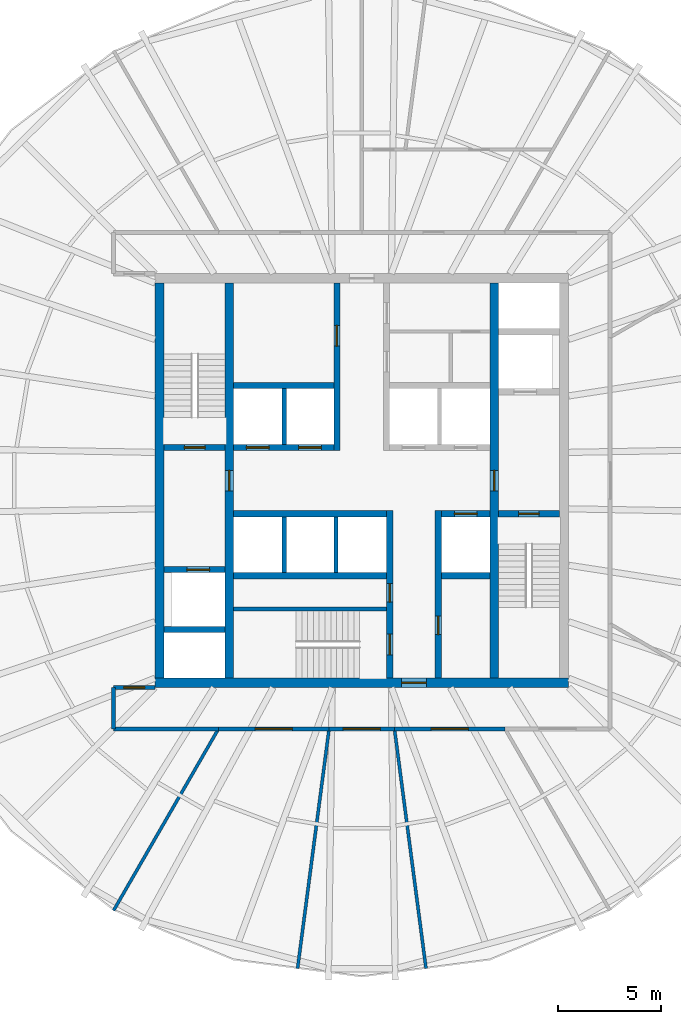
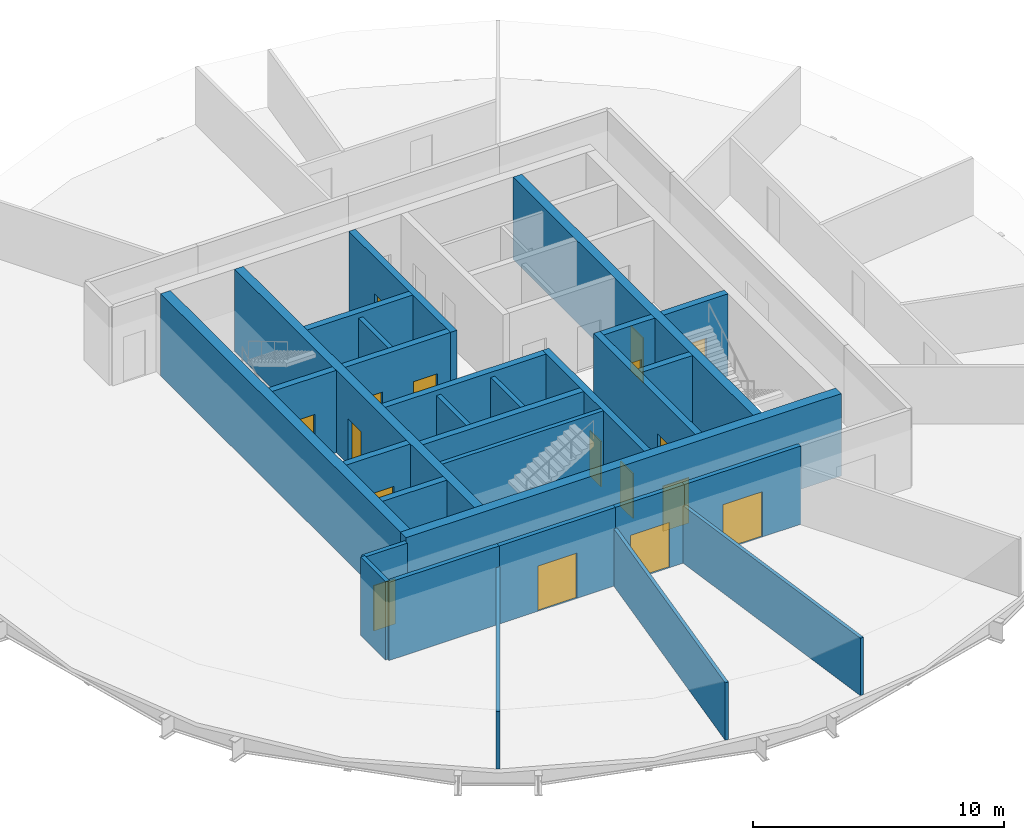
# One storey, part 3 of 6: 30 walls, 17 doors, 17 openings.
"""IFC4 building model written with IfcOpenShell, lengths in metres."""

from ifc_helpers import new_model, si_unit, direction, frame, frame_2d, origin, place, context, subcontext, project, spatial, rectangle, extrude, material, layer, layer_set, type_object, element, fill, save


model = new_model("IFC4")

# Units and contexts
model_context = context("Model", 3, precision=1e-05, world=origin(), true_north=direction((0.0, 1.0)))
body_context = subcontext(model_context, "Body", "Model", "MODEL_VIEW")
ifc_project = project(units=[si_unit("LENGTHUNIT", "METRE"), si_unit("AREAUNIT", "SQUARE_METRE"), si_unit("VOLUMEUNIT", "CUBIC_METRE"), si_unit("PLANEANGLEUNIT", "RADIAN"), si_unit("MASSUNIT", "GRAM", prefix="KILO")], contexts=[model_context])

# Site, building, storey
site_placement = place(None, origin())
site = spatial("IfcSite", under=ifc_project, at=site_placement, CompositionType="ELEMENT")
building_placement = place(site_placement, origin())
building = spatial("IfcBuilding", under=site, at=building_placement, Name="Golbaran Civic Tower", CompositionType="ELEMENT")
storey_placement = place(building_placement, frame((0.0, 0.0, 179.0)))
storey = spatial("IfcBuildingStorey", under=building, at=storey_placement, Name="L43", CompositionType="ELEMENT", Elevation=179.0)

# Wall, opening, door
ifc_material_1 = material(Name="Concrete C50/60", Category="concrete")
ifc_layer_1 = layer(ifc_material_1, 0.39990234375, Name="Concrete C50/60")
ifc_layer_set_1 = layer_set([ifc_layer_1], Name="Concrete C50/60")
wall_type_1 = type_object("IfcWallType", Name="CORE WALL CONCRETE 400", PredefinedType="SOLIDWALL", material=ifc_layer_set_1)
wall_1_placement = place(storey_placement, frame((-6.39990234375, -9.550048828125, 0.0), z_axis=(0.0, 0.0, 1.0), x_axis=(0.0, 1.0, 0.0)))
wall_1 = element("IfcWall", 1, at=wall_1_placement, inside=storey, type_object=wall_type_1, Name="Core wall IW L43", PredefinedType="SOLIDWALL", context=body_context, shape_type="SweptSolid", body=[
    extrude(rectangle(XDim=19.10009765625, YDim=0.39990234375, at=frame_2d((9.550048828125, 0.0))), origin(), (0.0, 0.0, 1.0), 4.0),
])
opening_1_placement = place(wall_1_placement, frame((9.050048828125, 0.0, 0.0)))
opening_1 = element("IfcOpeningElement", 2, at=opening_1_placement, cuts=wall_1, Name="Opening L43.FL1", PredefinedType="OPENING", context=body_context, shape_type="SweptSolid", body=[
    extrude(rectangle(XDim=1.0, YDim=2.199951171875, at=frame_2d((0.5, 1.10009765625))), frame((0.0, 0.2099609375, 0.0), z_axis=(0.0, -1.0, 0.0), x_axis=(1.0, 0.0, 0.0)), (0.0, 0.0, 1.0), 0.419921875),
])
ifc_material_2 = material(Name="Timber door set in steel frame", Category="steel")
door_type_1 = type_object("IfcDoorType", Name="STAIR DOOR 1000x2200", OperationType="SINGLE_SWING_LEFT", PredefinedType="DOOR", material=ifc_material_2)
door_1_placement = place(opening_1_placement, origin())
door_1 = element("IfcDoor", 3, at=door_1_placement, inside=storey, type_object=door_type_1, Name="Fire-fighting lobby FL1 door", OperationType="SINGLE_SWING_LEFT", OverallHeight=2.199951171875, OverallWidth=1.0, PredefinedType="DOOR", context=body_context, shape_type="SweptSolid", body=[
    extrude(rectangle(XDim=1.0, YDim=2.199951171875, at=frame_2d((0.5, 1.10009765625))), frame((0.0, 0.02490234375, 0.0), z_axis=(0.0, -1.0, 0.0), x_axis=(1.0, 0.0, 0.0)), (0.0, 0.0, 1.0), 0.050048828125),
])
fill(opening_1, door_1)

wall_2_placement = place(storey_placement, frame((6.39990234375, 9.550048828125, 0.0), z_axis=(0.0, 0.0, 1.0), x_axis=(0.0, -1.0, 0.0)))
wall_2 = element("IfcWall", 4, at=wall_2_placement, inside=storey, type_object=wall_type_1, Name="Core wall IE L43", PredefinedType="SOLIDWALL", context=body_context, shape_type="SweptSolid", body=[
    extrude(rectangle(XDim=19.10009765625, YDim=0.39990234375, at=frame_2d((9.550048828125, 0.0))), origin(), (0.0, 0.0, 1.0), 4.0),
])
opening_2_placement = place(wall_2_placement, frame((9.050048828125, 0.0, 0.0)))
opening_2 = element("IfcOpeningElement", 5, at=opening_2_placement, cuts=wall_2, Name="Opening L43.FL2", PredefinedType="OPENING", context=body_context, shape_type="SweptSolid", body=[
    extrude(rectangle(XDim=1.0, YDim=2.199951171875, at=frame_2d((0.5, 1.10009765625))), frame((0.0, 0.2099609375, 0.0), z_axis=(0.0, -1.0, 0.0), x_axis=(1.0, 0.0, 0.0)), (0.0, 0.0, 1.0), 0.419921875),
])
door_2_placement = place(opening_2_placement, origin())
door_2 = element("IfcDoor", 6, at=door_2_placement, inside=storey, type_object=door_type_1, Name="Fire-fighting lobby FL2 door", OperationType="SINGLE_SWING_RIGHT", OverallHeight=2.199951171875, OverallWidth=1.0, PredefinedType="DOOR", context=body_context, shape_type="SweptSolid", body=[
    extrude(rectangle(XDim=1.0, YDim=2.199951171875, at=frame_2d((0.5, 1.10009765625))), frame((0.0, 0.02490234375, 0.0), z_axis=(0.0, -1.0, 0.0), x_axis=(1.0, 0.0, 0.0)), (0.0, 0.0, 1.0), 0.050048828125),
])
fill(opening_2, door_2)

ifc_layer_2 = layer(ifc_material_1, 0.449951171875, Name="Concrete C50/60")
ifc_layer_set_2 = layer_set([ifc_layer_2], Name="Concrete C50/60")
wall_type_2 = type_object("IfcWallType", Name="CORE WALL CONCRETE 450", PredefinedType="SOLIDWALL", material=ifc_layer_set_2)
wall_3_placement = place(storey_placement, frame((10.0, -9.77490234375, 0.0), z_axis=(0.0, 0.0, 1.0), x_axis=(-1.0, 0.0, 0.0)))
wall_3 = element("IfcWall", 7, at=wall_3_placement, inside=storey, type_object=wall_type_2, Name="Core wall CS L43", PredefinedType="SOLIDWALL", context=body_context, shape_type="SweptSolid", body=[
    extrude(rectangle(XDim=20.0, YDim=0.449951171875, at=frame_2d((10.0, 0.0))), origin(), (0.0, 0.0, 1.0), 4.0),
])
opening_3_placement = place(wall_3_placement, frame((6.875, 0.0, 0.0)))
opening_3 = element("IfcOpeningElement", 8, at=opening_3_placement, cuts=wall_3, Name="Opening L43.CS", PredefinedType="OPENING", context=body_context, shape_type="SweptSolid", body=[
    extrude(rectangle(XDim=1.199951171875, YDim=2.199951171875, at=frame_2d((0.60009765625, 1.10009765625))), frame((0.0, 0.23486328125, 0.0), z_axis=(0.0, -1.0, 0.0), x_axis=(1.0, 0.0, 0.0)), (0.0, 0.0, 1.0), 0.469970703125),
])
door_type_2 = type_object("IfcDoorType", Name="CORE DOOR 1200x2200", OperationType="DOUBLE_DOOR_SINGLE_SWING", PredefinedType="DOOR", material=ifc_material_2)
door_3_placement = place(opening_3_placement, origin())
door_3 = element("IfcDoor", 9, at=door_3_placement, inside=storey, type_object=door_type_2, Name="Core door south", OperationType="DOUBLE_DOOR_SINGLE_SWING", OverallHeight=2.199951171875, OverallWidth=1.199951171875, PredefinedType="DOOR", context=body_context, shape_type="SweptSolid", body=[
    extrude(rectangle(XDim=1.199951171875, YDim=2.199951171875, at=frame_2d((0.60009765625, 1.10009765625))), frame((0.0, 0.02490234375, 0.0), z_axis=(0.0, -1.0, 0.0), x_axis=(1.0, 0.0, 0.0)), (0.0, 0.0, 1.0), 0.050048828125),
])
fill(opening_3, door_3)

# Walls
wall_4_placement = place(storey_placement, frame((-9.77490234375, 9.550048828125, 0.0), z_axis=(0.0, 0.0, 1.0), x_axis=(0.0, -1.0, 0.0)))
element("IfcWall", 10, at=wall_4_placement, inside=storey, type_object=wall_type_2, Name="Core wall CW L43", PredefinedType="SOLIDWALL", context=body_context, shape_type="SweptSolid", body=[
    extrude(rectangle(XDim=19.10009765625, YDim=0.449951171875, at=frame_2d((9.550048828125, 0.0))), origin(), (0.0, 0.0, 1.0), 4.0),
])
ifc_material_3 = material(Name="Gypsum board on steel studs, fire-rated", Category="steel")
ifc_layer_3 = layer(ifc_material_3, 0.199951171875, Name="Gypsum board on steel studs, fire-rated")
ifc_layer_set_3 = layer_set([ifc_layer_3], Name="Gypsum board on steel studs, fire-rated")
wall_type_3 = type_object("IfcWallType", Name="CORRIDOR WALL 200", PredefinedType="PARTITIONING", material=ifc_layer_set_3)
wall_5_placement = place(storey_placement, frame((-12.0, -10.0, 0.0), z_axis=(0.0, 0.0, 1.0), x_axis=(0.0, -1.0, 0.0)))
element("IfcWall", 11, at=wall_5_placement, inside=storey, type_object=wall_type_3, Name="Corridor wall L43", PredefinedType="PARTITIONING", context=body_context, shape_type="SweptSolid", body=[
    extrude(rectangle(XDim=2.0, YDim=0.199951171875, at=frame_2d((1.0, 0.0))), origin(), (0.0, 0.0, 1.0), 3.800048828125),
])
wall_6_placement = place(storey_placement, frame((-12.0, -12.0, 0.0), z_axis=(0.0, 0.0, 1.0), x_axis=(1.0, 0.0, 0.0)))
element("IfcWall", 12, at=wall_6_placement, inside=storey, type_object=wall_type_3, Name="Corridor wall L43", PredefinedType="PARTITIONING", context=body_context, shape_type="SweptSolid", body=[
    extrude(rectangle(XDim=5.07177734375, YDim=0.199951171875, at=frame_2d((2.535888671875, 0.0))), origin(), (0.0, 0.0, 1.0), 3.800048828125),
])

# Wall, opening, door
wall_7_placement = place(storey_placement, frame((-6.92822265625, -12.0, 0.0), z_axis=(0.0, 0.0, 1.0), x_axis=(1.0, 0.0, 0.0)))
wall_7 = element("IfcWall", 13, at=wall_7_placement, inside=storey, type_object=wall_type_3, Name="Corridor wall L43", PredefinedType="PARTITIONING", context=body_context, shape_type="SweptSolid", body=[
    extrude(rectangle(XDim=5.348388671875, YDim=0.199951171875, at=frame_2d((2.67431640625, 0.0))), origin(), (0.0, 0.0, 1.0), 3.800048828125),
])
opening_4_placement = place(wall_7_placement, frame((1.774169921875, 0.0, 0.0)))
opening_4 = element("IfcOpeningElement", 14, at=opening_4_placement, cuts=wall_7, Name="Opening L43.10", PredefinedType="OPENING", context=body_context, shape_type="SweptSolid", body=[
    extrude(rectangle(XDim=1.800048828125, YDim=2.199951171875, at=frame_2d((0.89990234375, 1.10009765625))), frame((0.0, 0.10986328125, 0.0), z_axis=(0.0, -1.0, 0.0), x_axis=(1.0, 0.0, 0.0)), (0.0, 0.0, 1.0), 0.219970703125),
])
door_type_3 = type_object("IfcDoorType", Name="OFFICE DOUBLE DOOR 1800x2200", OperationType="DOUBLE_DOOR_SINGLE_SWING", PredefinedType="DOOR", material=ifc_material_2)
door_4_placement = place(opening_4_placement, origin())
door_4 = element("IfcDoor", 15, at=door_4_placement, inside=storey, type_object=door_type_3, Name="Data and Statistics Office door L43", OperationType="DOUBLE_DOOR_SINGLE_SWING", OverallHeight=2.199951171875, OverallWidth=1.800048828125, PredefinedType="DOOR", context=body_context, shape_type="SweptSolid", body=[
    extrude(rectangle(XDim=1.800048828125, YDim=2.199951171875, at=frame_2d((0.89990234375, 1.10009765625))), frame((0.0, 0.02490234375, 0.0), z_axis=(0.0, -1.0, 0.0), x_axis=(1.0, 0.0, 0.0)), (0.0, 0.0, 1.0), 0.050048828125),
])
fill(opening_4, door_4)

wall_8_placement = place(storey_placement, frame((-1.579833984375, -12.0, 0.0), z_axis=(0.0, 0.0, 1.0), x_axis=(1.0, 0.0, 0.0)))
wall_8 = element("IfcWall", 16, at=wall_8_placement, inside=storey, type_object=wall_type_3, Name="Corridor wall L43", PredefinedType="PARTITIONING", context=body_context, shape_type="SweptSolid", body=[
    extrude(rectangle(XDim=3.15966796875, YDim=0.199951171875, at=frame_2d((1.579833984375, 0.0))), origin(), (0.0, 0.0, 1.0), 3.800048828125),
])
opening_5_placement = place(wall_8_placement, frame((0.679931640625, 0.0, 0.0)))
opening_5 = element("IfcOpeningElement", 17, at=opening_5_placement, cuts=wall_8, Name="Opening L43.11", PredefinedType="OPENING", context=body_context, shape_type="SweptSolid", body=[
    extrude(rectangle(XDim=1.800048828125, YDim=2.199951171875, at=frame_2d((0.89990234375, 1.10009765625))), frame((0.0, 0.10986328125, 0.0), z_axis=(0.0, -1.0, 0.0), x_axis=(1.0, 0.0, 0.0)), (0.0, 0.0, 1.0), 0.219970703125),
])
door_5_placement = place(opening_5_placement, origin())
door_5 = element("IfcDoor", 18, at=door_5_placement, inside=storey, type_object=door_type_3, Name="Data and Statistics Office door L43", OperationType="DOUBLE_DOOR_SINGLE_SWING", OverallHeight=2.199951171875, OverallWidth=1.800048828125, PredefinedType="DOOR", context=body_context, shape_type="SweptSolid", body=[
    extrude(rectangle(XDim=1.800048828125, YDim=2.199951171875, at=frame_2d((0.89990234375, 1.10009765625))), frame((0.0, 0.02490234375, 0.0), z_axis=(0.0, -1.0, 0.0), x_axis=(1.0, 0.0, 0.0)), (0.0, 0.0, 1.0), 0.050048828125),
])
fill(opening_5, door_5)

wall_9_placement = place(storey_placement, frame((1.579833984375, -12.0, 0.0), z_axis=(0.0, 0.0, 1.0), x_axis=(1.0, 0.0, 0.0)))
wall_9 = element("IfcWall", 19, at=wall_9_placement, inside=storey, type_object=wall_type_3, Name="Corridor wall L43", PredefinedType="PARTITIONING", context=body_context, shape_type="SweptSolid", body=[
    extrude(rectangle(XDim=5.348388671875, YDim=0.199951171875, at=frame_2d((2.67431640625, 0.0))), origin(), (0.0, 0.0, 1.0), 3.800048828125),
])
opening_6_placement = place(wall_9_placement, frame((1.774169921875, 0.0, 0.0)))
opening_6 = element("IfcOpeningElement", 20, at=opening_6_placement, cuts=wall_9, Name="Opening L43.12", PredefinedType="OPENING", context=body_context, shape_type="SweptSolid", body=[
    extrude(rectangle(XDim=1.800048828125, YDim=2.199951171875, at=frame_2d((0.89990234375, 1.10009765625))), frame((0.0, 0.10986328125, 0.0), z_axis=(0.0, -1.0, 0.0), x_axis=(1.0, 0.0, 0.0)), (0.0, 0.0, 1.0), 0.219970703125),
])
door_6_placement = place(opening_6_placement, origin())
door_6 = element("IfcDoor", 21, at=door_6_placement, inside=storey, type_object=door_type_3, Name="Data and Statistics Office door L43", OperationType="DOUBLE_DOOR_SINGLE_SWING", OverallHeight=2.199951171875, OverallWidth=1.800048828125, PredefinedType="DOOR", context=body_context, shape_type="SweptSolid", body=[
    extrude(rectangle(XDim=1.800048828125, YDim=2.199951171875, at=frame_2d((0.89990234375, 1.10009765625))), frame((0.0, 0.02490234375, 0.0), z_axis=(0.0, -1.0, 0.0), x_axis=(1.0, 0.0, 0.0)), (0.0, 0.0, 1.0), 0.050048828125),
])
fill(opening_6, door_6)

wall_10_placement = place(storey_placement, frame((-10.0, -10.0, 0.0), z_axis=(0.0, 0.0, 1.0), x_axis=(-1.0, 0.0, 0.0)))
wall_10 = element("IfcWall", 22, at=wall_10_placement, inside=storey, type_object=wall_type_3, Name="Corridor end wall L43", PredefinedType="PARTITIONING", context=body_context, shape_type="SweptSolid", body=[
    extrude(rectangle(XDim=2.0, YDim=0.199951171875, at=frame_2d((1.0, 0.0))), origin(), (0.0, 0.0, 1.0), 3.800048828125),
])
opening_7_placement = place(wall_10_placement, frame((0.5, 0.0, 0.0)))
opening_7 = element("IfcOpeningElement", 23, at=opening_7_placement, cuts=wall_10, Name="Opening L43.14", PredefinedType="OPENING", context=body_context, shape_type="SweptSolid", body=[
    extrude(rectangle(XDim=1.0, YDim=2.199951171875, at=frame_2d((0.5, 1.10009765625))), frame((0.0, 0.10986328125, 0.0), z_axis=(0.0, -1.0, 0.0), x_axis=(1.0, 0.0, 0.0)), (0.0, 0.0, 1.0), 0.219970703125),
])
door_type_4 = type_object("IfcDoorType", Name="OFFICE DOOR 1000x2200", OperationType="SINGLE_SWING_LEFT", PredefinedType="DOOR", material=ifc_material_2)
door_7_placement = place(opening_7_placement, origin())
door_7 = element("IfcDoor", 24, at=door_7_placement, inside=storey, type_object=door_type_4, Name="Open Office door L43", OperationType="SINGLE_SWING_RIGHT", OverallHeight=2.199951171875, OverallWidth=1.0, PredefinedType="DOOR", context=body_context, shape_type="SweptSolid", body=[
    extrude(rectangle(XDim=1.0, YDim=2.199951171875, at=frame_2d((0.5, 1.10009765625))), frame((0.0, 0.02490234375, 0.0), z_axis=(0.0, -1.0, 0.0), x_axis=(1.0, 0.0, 0.0)), (0.0, 0.0, 1.0), 0.050048828125),
])
fill(opening_7, door_7)

# Walls
ifc_material_4 = material(Name="Concrete block", Category="concrete")
ifc_layer_4 = layer(ifc_material_4, 0.199951171875, Name="Concrete block")
ifc_layer_set_4 = layer_set([ifc_layer_4], Name="Concrete block")
wall_type_4 = type_object("IfcWallType", Name="LIFT SEPARATOR WALL 200", PredefinedType="SOLIDWALL", material=ifc_layer_set_4)
for number, where, z_axis, x_axis, name in (
    (25, (-3.75, 1.75, 0.0), (0.0, 0.0, 1.0), (0.0, 1.0, 0.0), "Core partition SNW L43"),
    (26, (-3.75, -1.75, 0.0), (0.0, 0.0, 1.0), (0.0, -1.0, 0.0), "Core partition SSW L43"),
    (27, (-1.25, -1.75, 0.0), (0.0, 0.0, 1.0), (0.0, -1.0, 0.0), "Core partition SSM L43"),
):
    element("IfcWall", number, at=place(storey_placement, frame(where, z_axis=z_axis, x_axis=x_axis)), inside=storey, type_object=wall_type_4, Name=name, PredefinedType="SOLIDWALL", context=body_context, shape_type="SweptSolid", body=[
        extrude(rectangle(XDim=2.699951171875, YDim=0.199951171875, at=frame_2d((1.35009765625, 0.0))), origin(), (0.0, 0.0, 1.0), 3.75),
    ])
ifc_material_5 = material(Name="Gypsum board on steel studs", Category="steel")
ifc_layer_5 = layer(ifc_material_5, 0.14990234375, Name="Gypsum board on steel studs")
ifc_layer_set_5 = layer_set([ifc_layer_5], Name="Gypsum board on steel studs")
wall_type_5 = type_object("IfcWallType", Name="OFFICE PARTITION 150", PredefinedType="PARTITIONING", material=ifc_layer_set_5)
wall_11_placement = place(storey_placement, frame((-6.92822265625, -12.0, 0.0), z_axis=(0.0, 0.0, 1.0), x_axis=(-0.49999906822, -0.866025941747, 0.0)))
element("IfcWall", 28, at=wall_11_placement, inside=storey, type_object=wall_type_5, Name="Partition 240 L43", PredefinedType="PARTITIONING", context=body_context, shape_type="SweptSolid", body=[
    extrude(rectangle(XDim=10.1357421875, YDim=0.14990234375, at=frame_2d((5.06787109375, 0.0))), origin(), (0.0, 0.0, 1.0), 2.7900390625),
])
for number, where, z_axis, x_axis, name in (
    (29, (-1.579833984375, -12.0, 0.0), (0.0, 0.0, 1.0), (-0.130518296518, -0.991445900831, 0.0), "Partition 262.5 L43"),
    (30, (1.579833984375, -12.0, 0.0), (0.0, 0.0, 1.0), (0.130518296518, -0.991445900831, 0.0), "Partition 277.5 L43"),
):
    element("IfcWall", number, at=place(storey_placement, frame(where, z_axis=z_axis, x_axis=x_axis)), inside=storey, type_object=wall_type_5, Name=name, PredefinedType="PARTITIONING", context=body_context, shape_type="SweptSolid", body=[
        extrude(rectangle(XDim=11.683349609375, YDim=0.14990234375, at=frame_2d((5.841796875, 0.0))), origin(), (0.0, 0.0, 1.0), 2.7900390625),
    ])
ifc_layer_6 = layer(ifc_material_1, 0.199951171875, Name="Concrete C50/60")
ifc_layer_set_6 = layer_set([ifc_layer_6], Name="Concrete C50/60")
wall_type_6 = type_object("IfcWallType", Name="SHAFT WALL CONCRETE 200", PredefinedType="SOLIDWALL", material=ifc_layer_set_6)
wall_12_placement = place(storey_placement, frame((-6.199951171875, -6.199951171875, 0.0), z_axis=(0.0, 0.0, 1.0), x_axis=(1.0, 0.0, 0.0)))
element("IfcWall", 31, at=wall_12_placement, inside=storey, type_object=wall_type_6, Name="Core wall S3N L43", PredefinedType="SOLIDWALL", context=body_context, shape_type="SweptSolid", body=[
    extrude(rectangle(XDim=7.39990234375, YDim=0.199951171875, at=frame_2d((3.699951171875, 0.0))), origin(), (0.0, 0.0, 1.0), 4.0),
])

# Wall, openings, doors
ifc_layer_7 = layer(ifc_material_1, 0.300048828125, Name="Concrete C50/60")
ifc_layer_set_7 = layer_set([ifc_layer_7], Name="Concrete C50/60")
wall_type_7 = type_object("IfcWallType", Name="SHAFT WALL CONCRETE 300", PredefinedType="SOLIDWALL", material=ifc_layer_set_7)
wall_13_placement = place(storey_placement, frame((-6.199951171875, 1.60009765625, 0.0), z_axis=(0.0, 0.0, 1.0), x_axis=(1.0, 0.0, 0.0)))
wall_13 = element("IfcWall", 32, at=wall_13_placement, inside=storey, type_object=wall_type_7, Name="Core wall FNW L43", PredefinedType="SOLIDWALL", context=body_context, shape_type="SweptSolid", body=[
    extrude(rectangle(XDim=4.849853515625, YDim=0.300048828125, at=frame_2d((2.4248046875, 0.0))), origin(), (0.0, 0.0, 1.0), 4.0),
])
opening_8_placement = place(wall_13_placement, frame((0.625, 0.0, 0.0)))
opening_8 = element("IfcOpeningElement", 33, at=opening_8_placement, cuts=wall_13, Name="Opening L43.LD-Z1H", PredefinedType="OPENING", context=body_context, shape_type="SweptSolid", body=[
    extrude(rectangle(XDim=1.10009765625, YDim=2.199951171875, at=frame_2d((0.550048828125, 1.10009765625))), frame((0.0, 0.159912109375, 0.0), z_axis=(0.0, -1.0, 0.0), x_axis=(1.0, 0.0, 0.0)), (0.0, 0.0, 1.0), 0.320068359375),
])
opening_9_placement = place(wall_13_placement, frame((3.14990234375, 0.0, 0.0)))
opening_9 = element("IfcOpeningElement", 34, at=opening_9_placement, cuts=wall_13, Name="Opening L43.LD-Z2H", PredefinedType="OPENING", context=body_context, shape_type="SweptSolid", body=[
    extrude(rectangle(XDim=1.10009765625, YDim=2.199951171875, at=frame_2d((0.550048828125, 1.10009765625))), frame((0.0, 0.159912109375, 0.0), z_axis=(0.0, -1.0, 0.0), x_axis=(1.0, 0.0, 0.0)), (0.0, 0.0, 1.0), 0.320068359375),
])
ifc_material_6 = material(Name="Stainless steel", Category="steel")
door_type_5 = type_object("IfcDoorType", Name="LIFT LANDING DOOR 1100x2200", OperationType="SLIDING_TO_LEFT", PredefinedType="DOOR", material=ifc_material_6)
door_8_placement = place(opening_8_placement, origin())
door_8 = element("IfcDoor", 35, at=door_8_placement, inside=storey, type_object=door_type_5, Name="Lift landing door Z1H", OperationType="SLIDING_TO_LEFT", OverallHeight=2.199951171875, OverallWidth=1.10009765625, PredefinedType="DOOR", context=body_context, shape_type="SweptSolid", body=[
    extrude(rectangle(XDim=1.10009765625, YDim=2.199951171875, at=frame_2d((0.550048828125, 1.10009765625))), frame((0.0, 0.02490234375, 0.0), z_axis=(0.0, -1.0, 0.0), x_axis=(1.0, 0.0, 0.0)), (0.0, 0.0, 1.0), 0.050048828125),
])
fill(opening_8, door_8)
door_9_placement = place(opening_9_placement, origin())
door_9 = element("IfcDoor", 36, at=door_9_placement, inside=storey, type_object=door_type_5, Name="Lift landing door Z2H", OperationType="SLIDING_TO_LEFT", OverallHeight=2.199951171875, OverallWidth=1.10009765625, PredefinedType="DOOR", context=body_context, shape_type="SweptSolid", body=[
    extrude(rectangle(XDim=1.10009765625, YDim=2.199951171875, at=frame_2d((0.550048828125, 1.10009765625))), frame((0.0, 0.02490234375, 0.0), z_axis=(0.0, -1.0, 0.0), x_axis=(1.0, 0.0, 0.0)), (0.0, 0.0, 1.0), 0.050048828125),
])
fill(opening_9, door_9)

# Wall
wall_14_placement = place(storey_placement, frame((-6.199951171875, 4.60009765625, 0.0), z_axis=(0.0, 0.0, 1.0), x_axis=(1.0, 0.0, 0.0)))
element("IfcWall", 37, at=wall_14_placement, inside=storey, type_object=wall_type_7, Name="Core wall BNW L43", PredefinedType="SOLIDWALL", context=body_context, shape_type="SweptSolid", body=[
    extrude(rectangle(XDim=4.849853515625, YDim=0.300048828125, at=frame_2d((2.4248046875, 0.0))), origin(), (0.0, 0.0, 1.0), 4.0),
])

# Wall, opening, door
wall_15_placement = place(storey_placement, frame((-1.199951171875, 1.449951171875, 0.0), z_axis=(0.0, 0.0, 1.0), x_axis=(0.0, 1.0, 0.0)))
wall_15 = element("IfcWall", 38, at=wall_15_placement, inside=storey, type_object=wall_type_7, Name="Core wall PNW L43", PredefinedType="SOLIDWALL", context=body_context, shape_type="SweptSolid", body=[
    extrude(rectangle(XDim=8.10009765625, YDim=0.300048828125, at=frame_2d((4.050048828125, 0.0))), origin(), (0.0, 0.0, 1.0), 4.0),
])
opening_10_placement = place(wall_15_placement, frame((5.050048828125, 0.0, 0.0)))
opening_10 = element("IfcOpeningElement", 39, at=opening_10_placement, cuts=wall_15, Name="Opening L43.WCM", PredefinedType="OPENING", context=body_context, shape_type="SweptSolid", body=[
    extrude(rectangle(XDim=1.0, YDim=2.199951171875, at=frame_2d((0.5, 1.10009765625))), frame((0.0, 0.159912109375, 0.0), z_axis=(0.0, -1.0, 0.0), x_axis=(1.0, 0.0, 0.0)), (0.0, 0.0, 1.0), 0.320068359375),
])
door_type_6 = type_object("IfcDoorType", Name="TOILET DOOR 1000x2200", OperationType="SINGLE_SWING_LEFT", PredefinedType="DOOR", material=ifc_material_2)
door_10_placement = place(opening_10_placement, origin())
door_10 = element("IfcDoor", 40, at=door_10_placement, inside=storey, type_object=door_type_6, Name="North-west toilet block door", OperationType="SINGLE_SWING_RIGHT", OverallHeight=2.199951171875, OverallWidth=1.0, PredefinedType="DOOR", context=body_context, shape_type="SweptSolid", body=[
    extrude(rectangle(XDim=1.0, YDim=2.199951171875, at=frame_2d((0.5, 1.10009765625))), frame((0.0, 0.02490234375, 0.0), z_axis=(0.0, -1.0, 0.0), x_axis=(1.0, 0.0, 0.0)), (0.0, 0.0, 1.0), 0.050048828125),
])
fill(opening_10, door_10)

# Wall
wall_16_placement = place(storey_placement, frame((-6.199951171875, -1.60009765625, 0.0), z_axis=(0.0, 0.0, 1.0), x_axis=(1.0, 0.0, 0.0)))
element("IfcWall", 41, at=wall_16_placement, inside=storey, type_object=wall_type_7, Name="Core wall FSW L43", PredefinedType="SOLIDWALL", context=body_context, shape_type="SweptSolid", body=[
    extrude(rectangle(XDim=7.39990234375, YDim=0.300048828125, at=frame_2d((3.699951171875, 0.0))), origin(), (0.0, 0.0, 1.0), 4.0),
])

# Wall, opening, door
wall_17_placement = place(storey_placement, frame((3.85009765625, -1.60009765625, 0.0), z_axis=(0.0, 0.0, 1.0), x_axis=(1.0, 0.0, 0.0)))
wall_17 = element("IfcWall", 42, at=wall_17_placement, inside=storey, type_object=wall_type_7, Name="Core wall FSE L43", PredefinedType="SOLIDWALL", context=body_context, shape_type="SweptSolid", body=[
    extrude(rectangle(XDim=2.349853515625, YDim=0.300048828125, at=frame_2d((1.1748046875, 0.0))), origin(), (0.0, 0.0, 1.0), 4.0),
])
opening_11_placement = place(wall_17_placement, frame((0.625, 0.0, 0.0)))
opening_11 = element("IfcOpeningElement", 43, at=opening_11_placement, cuts=wall_17, Name="Opening L43.LD-V1", PredefinedType="OPENING", context=body_context, shape_type="SweptSolid", body=[
    extrude(rectangle(XDim=1.10009765625, YDim=2.199951171875, at=frame_2d((0.550048828125, 1.10009765625))), frame((0.0, 0.159912109375, 0.0), z_axis=(0.0, -1.0, 0.0), x_axis=(1.0, 0.0, 0.0)), (0.0, 0.0, 1.0), 0.320068359375),
])
door_11_placement = place(opening_11_placement, origin())
door_11 = element("IfcDoor", 44, at=door_11_placement, inside=storey, type_object=door_type_5, Name="Lift landing door V1", OperationType="SLIDING_TO_LEFT", OverallHeight=2.199951171875, OverallWidth=1.10009765625, PredefinedType="DOOR", context=body_context, shape_type="SweptSolid", body=[
    extrude(rectangle(XDim=1.10009765625, YDim=2.199951171875, at=frame_2d((0.550048828125, 1.10009765625))), frame((0.0, 0.02490234375, 0.0), z_axis=(0.0, -1.0, 0.0), x_axis=(1.0, 0.0, 0.0)), (0.0, 0.0, 1.0), 0.050048828125),
])
fill(opening_11, door_11)

# Walls
wall_18_placement = place(storey_placement, frame((-6.199951171875, -4.60009765625, 0.0), z_axis=(0.0, 0.0, 1.0), x_axis=(1.0, 0.0, 0.0)))
element("IfcWall", 45, at=wall_18_placement, inside=storey, type_object=wall_type_7, Name="Core wall BSW L43", PredefinedType="SOLIDWALL", context=body_context, shape_type="SweptSolid", body=[
    extrude(rectangle(XDim=7.39990234375, YDim=0.300048828125, at=frame_2d((3.699951171875, 0.0))), origin(), (0.0, 0.0, 1.0), 4.0),
])
wall_19_placement = place(storey_placement, frame((3.85009765625, -4.60009765625, 0.0), z_axis=(0.0, 0.0, 1.0), x_axis=(1.0, 0.0, 0.0)))
element("IfcWall", 46, at=wall_19_placement, inside=storey, type_object=wall_type_7, Name="Core wall BSE L43", PredefinedType="SOLIDWALL", context=body_context, shape_type="SweptSolid", body=[
    extrude(rectangle(XDim=2.349853515625, YDim=0.300048828125, at=frame_2d((1.1748046875, 0.0))), origin(), (0.0, 0.0, 1.0), 4.0),
])

# Wall, openings, doors
wall_20_placement = place(storey_placement, frame((1.35009765625, -1.449951171875, 0.0), z_axis=(0.0, 0.0, 1.0), x_axis=(0.0, -1.0, 0.0)))
wall_20 = element("IfcWall", 47, at=wall_20_placement, inside=storey, type_object=wall_type_7, Name="Core wall PSW L43", PredefinedType="SOLIDWALL", context=body_context, shape_type="SweptSolid", body=[
    extrude(rectangle(XDim=8.10009765625, YDim=0.300048828125, at=frame_2d((4.050048828125, 0.0))), origin(), (0.0, 0.0, 1.0), 4.0),
])
opening_12_placement = place(wall_20_placement, frame((5.97509765625, 0.0, 0.0)))
opening_12 = element("IfcOpeningElement", 48, at=opening_12_placement, cuts=wall_20, Name="Opening L43.S3", PredefinedType="OPENING", context=body_context, shape_type="SweptSolid", body=[
    extrude(rectangle(XDim=1.0, YDim=2.199951171875, at=frame_2d((0.5, 1.10009765625))), frame((0.0, 0.159912109375, 0.0), z_axis=(0.0, -1.0, 0.0), x_axis=(1.0, 0.0, 0.0)), (0.0, 0.0, 1.0), 0.320068359375),
])
opening_13_placement = place(wall_20_placement, frame((3.52490234375, 0.0, 0.0)))
opening_13 = element("IfcOpeningElement", 49, at=opening_13_placement, cuts=wall_20, Name="Opening L43.RE", PredefinedType="OPENING", context=body_context, shape_type="SweptSolid", body=[
    extrude(rectangle(XDim=0.89990234375, YDim=2.199951171875, at=frame_2d((0.449951171875, 1.10009765625))), frame((0.0, 0.159912109375, 0.0), z_axis=(0.0, -1.0, 0.0), x_axis=(1.0, 0.0, 0.0)), (0.0, 0.0, 1.0), 0.320068359375),
])
door_type_7 = type_object("IfcDoorType", Name="RISER DOOR 900x2200", OperationType="SINGLE_SWING_LEFT", PredefinedType="DOOR", material=ifc_material_2)
door_12_placement = place(opening_13_placement, origin())
door_12 = element("IfcDoor", 50, at=door_12_placement, inside=storey, type_object=door_type_7, Name="Electrical riser door", OperationType="SINGLE_SWING_LEFT", OverallHeight=2.199951171875, OverallWidth=0.89990234375, PredefinedType="DOOR", context=body_context, shape_type="SweptSolid", body=[
    extrude(rectangle(XDim=0.89990234375, YDim=2.199951171875, at=frame_2d((0.449951171875, 1.10009765625))), frame((0.0, 0.02490234375, 0.0), z_axis=(0.0, -1.0, 0.0), x_axis=(1.0, 0.0, 0.0)), (0.0, 0.0, 1.0), 0.050048828125),
])
fill(opening_13, door_12)
door_13_placement = place(opening_12_placement, origin())
door_13 = element("IfcDoor", 51, at=door_13_placement, inside=storey, type_object=door_type_1, Name="Stair S3 door", OperationType="SINGLE_SWING_RIGHT", OverallHeight=2.199951171875, OverallWidth=1.0, PredefinedType="DOOR", context=body_context, shape_type="SweptSolid", body=[
    extrude(rectangle(XDim=1.0, YDim=2.199951171875, at=frame_2d((0.5, 1.10009765625))), frame((0.0, 0.02490234375, 0.0), z_axis=(0.0, -1.0, 0.0), x_axis=(1.0, 0.0, 0.0)), (0.0, 0.0, 1.0), 0.050048828125),
])
fill(opening_12, door_13)

# Wall, opening, door
wall_21_placement = place(storey_placement, frame((3.699951171875, -1.449951171875, 0.0), z_axis=(0.0, 0.0, 1.0), x_axis=(0.0, -1.0, 0.0)))
wall_21 = element("IfcWall", 52, at=wall_21_placement, inside=storey, type_object=wall_type_7, Name="Core wall PSE L43", PredefinedType="SOLIDWALL", context=body_context, shape_type="SweptSolid", body=[
    extrude(rectangle(XDim=8.10009765625, YDim=0.300048828125, at=frame_2d((4.050048828125, 0.0))), origin(), (0.0, 0.0, 1.0), 4.0),
])
opening_14_placement = place(wall_21_placement, frame((5.10009765625, 0.0, 0.0)))
opening_14 = element("IfcOpeningElement", 53, at=opening_14_placement, cuts=wall_21, Name="Opening L43.RM", PredefinedType="OPENING", context=body_context, shape_type="SweptSolid", body=[
    extrude(rectangle(XDim=0.89990234375, YDim=2.199951171875, at=frame_2d((0.449951171875, 1.10009765625))), frame((0.0, 0.159912109375, 0.0), z_axis=(0.0, -1.0, 0.0), x_axis=(1.0, 0.0, 0.0)), (0.0, 0.0, 1.0), 0.320068359375),
])
door_14_placement = place(opening_14_placement, origin())
door_14 = element("IfcDoor", 54, at=door_14_placement, inside=storey, type_object=door_type_7, Name="Mechanical riser door", OperationType="SINGLE_SWING_RIGHT", OverallHeight=2.199951171875, OverallWidth=0.89990234375, PredefinedType="DOOR", context=body_context, shape_type="SweptSolid", body=[
    extrude(rectangle(XDim=0.89990234375, YDim=2.199951171875, at=frame_2d((0.449951171875, 1.10009765625))), frame((0.0, 0.02490234375, 0.0), z_axis=(0.0, -1.0, 0.0), x_axis=(1.0, 0.0, 0.0)), (0.0, 0.0, 1.0), 0.050048828125),
])
fill(opening_14, door_14)

wall_22_placement = place(storey_placement, frame((-9.550048828125, 1.60009765625, 0.0), z_axis=(0.0, 0.0, 1.0), x_axis=(1.0, 0.0, 0.0)))
wall_22 = element("IfcWall", 55, at=wall_22_placement, inside=storey, type_object=wall_type_7, Name="Core wall XW1 L43", PredefinedType="SOLIDWALL", context=body_context, shape_type="SweptSolid", body=[
    extrude(rectangle(XDim=2.949951171875, YDim=0.300048828125, at=frame_2d((1.47509765625, 0.0))), origin(), (0.0, 0.0, 1.0), 4.0),
])
opening_15_placement = place(wall_22_placement, frame((0.97509765625, 0.0, 0.0)))
opening_15 = element("IfcOpeningElement", 56, at=opening_15_placement, cuts=wall_22, Name="Opening L43.S1", PredefinedType="OPENING", context=body_context, shape_type="SweptSolid", body=[
    extrude(rectangle(XDim=1.0, YDim=2.199951171875, at=frame_2d((0.5, 1.10009765625))), frame((0.0, 0.159912109375, 0.0), z_axis=(0.0, -1.0, 0.0), x_axis=(1.0, 0.0, 0.0)), (0.0, 0.0, 1.0), 0.320068359375),
])
door_15_placement = place(opening_15_placement, origin())
door_15 = element("IfcDoor", 57, at=door_15_placement, inside=storey, type_object=door_type_1, Name="Stair S1 door", OperationType="SINGLE_SWING_LEFT", OverallHeight=2.199951171875, OverallWidth=1.0, PredefinedType="DOOR", context=body_context, shape_type="SweptSolid", body=[
    extrude(rectangle(XDim=1.0, YDim=2.199951171875, at=frame_2d((0.5, 1.10009765625))), frame((0.0, 0.02490234375, 0.0), z_axis=(0.0, -1.0, 0.0), x_axis=(1.0, 0.0, 0.0)), (0.0, 0.0, 1.0), 0.050048828125),
])
fill(opening_15, door_15)

wall_23_placement = place(storey_placement, frame((6.60009765625, -1.60009765625, 0.0), z_axis=(0.0, 0.0, 1.0), x_axis=(1.0, 0.0, 0.0)))
wall_23 = element("IfcWall", 58, at=wall_23_placement, inside=storey, type_object=wall_type_7, Name="Core wall XE1 L43", PredefinedType="SOLIDWALL", context=body_context, shape_type="SweptSolid", body=[
    extrude(rectangle(XDim=2.949951171875, YDim=0.300048828125, at=frame_2d((1.47509765625, 0.0))), origin(), (0.0, 0.0, 1.0), 4.0),
])
opening_16_placement = place(wall_23_placement, frame((0.97509765625, 0.0, 0.0)))
opening_16 = element("IfcOpeningElement", 59, at=opening_16_placement, cuts=wall_23, Name="Opening L43.S2", PredefinedType="OPENING", context=body_context, shape_type="SweptSolid", body=[
    extrude(rectangle(XDim=1.0, YDim=2.199951171875, at=frame_2d((0.5, 1.10009765625))), frame((0.0, 0.159912109375, 0.0), z_axis=(0.0, -1.0, 0.0), x_axis=(1.0, 0.0, 0.0)), (0.0, 0.0, 1.0), 0.320068359375),
])
door_16_placement = place(opening_16_placement, origin())
door_16 = element("IfcDoor", 60, at=door_16_placement, inside=storey, type_object=door_type_1, Name="Stair S2 door", OperationType="SINGLE_SWING_LEFT", OverallHeight=2.199951171875, OverallWidth=1.0, PredefinedType="DOOR", context=body_context, shape_type="SweptSolid", body=[
    extrude(rectangle(XDim=1.0, YDim=2.199951171875, at=frame_2d((0.5, 1.10009765625))), frame((0.0, 0.02490234375, 0.0), z_axis=(0.0, -1.0, 0.0), x_axis=(1.0, 0.0, 0.0)), (0.0, 0.0, 1.0), 0.050048828125),
])
fill(opening_16, door_16)

wall_24_placement = place(storey_placement, frame((-9.550048828125, -4.300048828125, 0.0), z_axis=(0.0, 0.0, 1.0), x_axis=(1.0, 0.0, 0.0)))
wall_24 = element("IfcWall", 61, at=wall_24_placement, inside=storey, type_object=wall_type_7, Name="Core wall XW2 L43", PredefinedType="SOLIDWALL", context=body_context, shape_type="SweptSolid", body=[
    extrude(rectangle(XDim=2.949951171875, YDim=0.300048828125, at=frame_2d((1.47509765625, 0.0))), origin(), (0.0, 0.0, 1.0), 4.0),
])
opening_17_placement = place(wall_24_placement, frame((1.10009765625, 0.0, 0.0)))
opening_17 = element("IfcOpeningElement", 62, at=opening_17_placement, cuts=wall_24, Name="Opening L43.LD-F1", PredefinedType="OPENING", context=body_context, shape_type="SweptSolid", body=[
    extrude(rectangle(XDim=1.10009765625, YDim=2.199951171875, at=frame_2d((0.550048828125, 1.10009765625))), frame((0.0, 0.159912109375, 0.0), z_axis=(0.0, -1.0, 0.0), x_axis=(1.0, 0.0, 0.0)), (0.0, 0.0, 1.0), 0.320068359375),
])
door_17_placement = place(opening_17_placement, origin())
door_17 = element("IfcDoor", 63, at=door_17_placement, inside=storey, type_object=door_type_5, Name="Lift landing door F1", OperationType="SLIDING_TO_LEFT", OverallHeight=2.199951171875, OverallWidth=1.10009765625, PredefinedType="DOOR", context=body_context, shape_type="SweptSolid", body=[
    extrude(rectangle(XDim=1.10009765625, YDim=2.199951171875, at=frame_2d((0.550048828125, 1.10009765625))), frame((0.0, 0.02490234375, 0.0), z_axis=(0.0, -1.0, 0.0), x_axis=(1.0, 0.0, 0.0)), (0.0, 0.0, 1.0), 0.050048828125),
])
fill(opening_17, door_17)

# Wall
wall_25_placement = place(storey_placement, frame((-9.550048828125, -7.199951171875, 0.0), z_axis=(0.0, 0.0, 1.0), x_axis=(1.0, 0.0, 0.0)))
element("IfcWall", 64, at=wall_25_placement, inside=storey, type_object=wall_type_7, Name="Core wall XW3 L43", PredefinedType="SOLIDWALL", context=body_context, shape_type="SweptSolid", body=[
    extrude(rectangle(XDim=2.949951171875, YDim=0.300048828125, at=frame_2d((1.47509765625, 0.0))), origin(), (0.0, 0.0, 1.0), 4.0),
])

save(model, "model.ifc")
